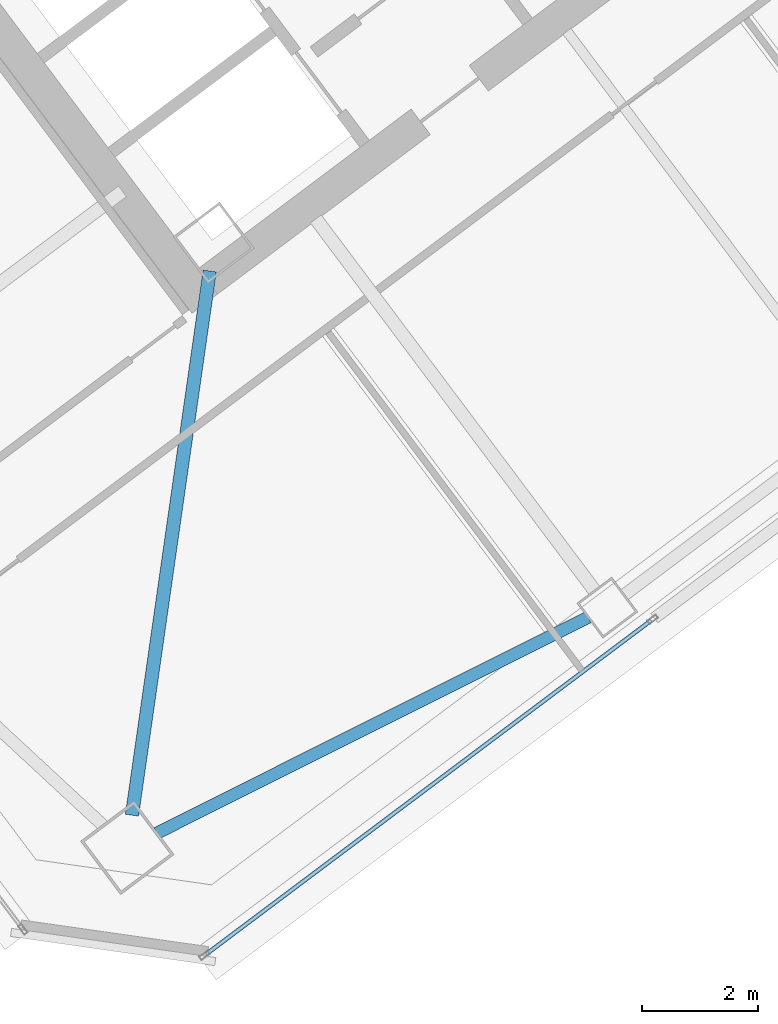
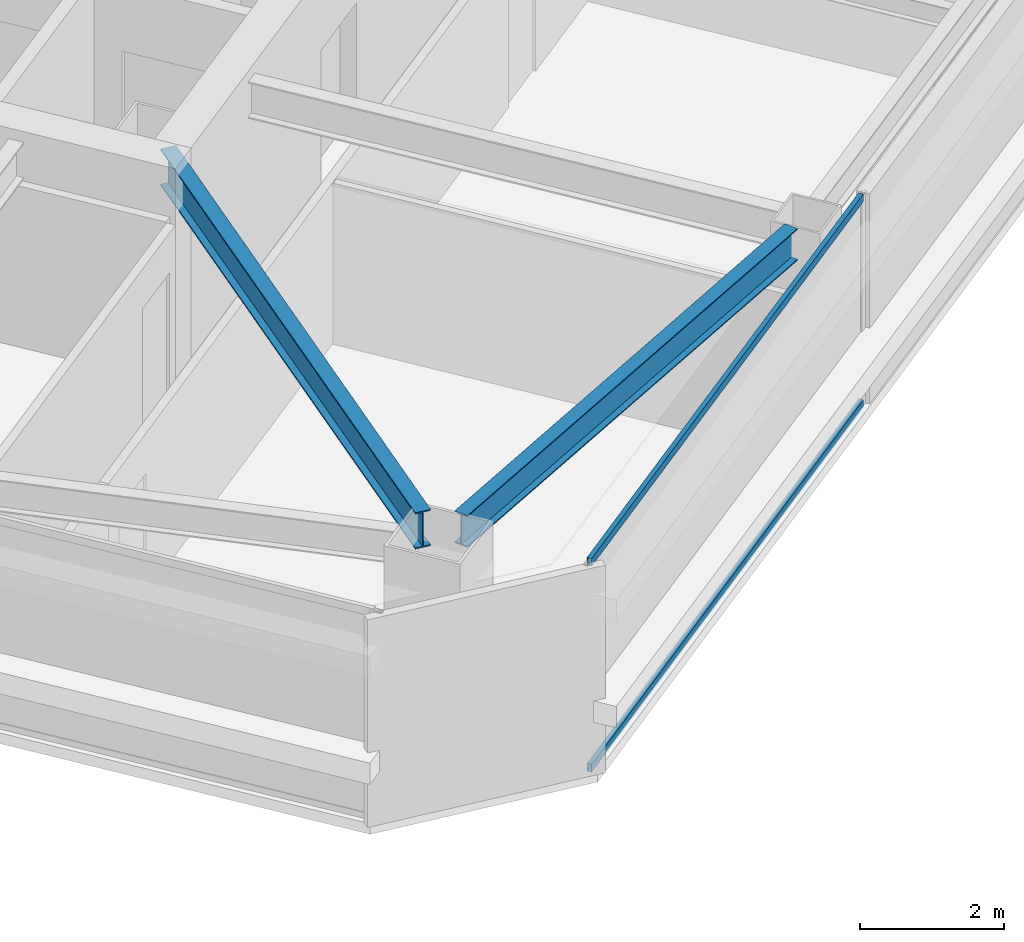
# One storey, part 18 of 41: 2 beams, 2 members, 1 element without a shape of its own.
"""IFC4 building model written with IfcOpenShell, lengths in metres."""

from ifc_helpers import new_model, si_unit, direction, frame, origin, origin_2d, place, context, subcontext, project, spatial, hollow_rectangle, i_section, extrude, material, material_profile, profile_set, type_object, element, aggregate, save


model = new_model("IFC4")

# Units and contexts
model_context = context("Model", 3, precision=1e-05, world=origin(), true_north=direction((0.0, 1.0)))
body_context = subcontext(model_context, "Body", "Model", "MODEL_VIEW")
ifc_project = project(units=[si_unit("LENGTHUNIT", "METRE"), si_unit("AREAUNIT", "SQUARE_METRE"), si_unit("VOLUMEUNIT", "CUBIC_METRE"), si_unit("PLANEANGLEUNIT", "RADIAN"), si_unit("MASSUNIT", "GRAM", prefix="KILO")], contexts=[model_context])

# Site, building, storey
site_placement = place(None, origin())
site = spatial("IfcSite", under=ifc_project, at=site_placement, CompositionType="ELEMENT")
building_placement = place(site_placement, origin())
building = spatial("IfcBuilding", under=site, at=building_placement, Name="Tashvorn Skyway Center", CompositionType="ELEMENT")
storey_placement = place(building_placement, frame((0.0, 0.0, 192.5)))
storey = spatial("IfcBuildingStorey", under=building, at=storey_placement, Name="L52", CompositionType="ELEMENT", Elevation=192.5)

# Beams
ifc_material_1 = material(Name="Steel ASTM A992 Grade 50", Category="steel")
ifc_material_profile_1 = material_profile(ifc_material_1, i_section(OverallWidth=0.22998046875, OverallDepth=0.616943359375, WebThickness=0.01318359375, FlangeThickness=0.022216796875, at=origin_2d()), Name="W24X94")
ifc_profile_set_1 = profile_set([ifc_material_profile_1], Name="Steel ASTM A992 Grade 50")
beam_type_1 = type_object("IfcBeamType", Name="BM-BEAM-W24X94", PredefinedType="BEAM", material=ifc_profile_set_1)
beam_1_placement = place(storey_placement, frame((111.1806640625, 12.26416015625, 3.0615234375), z_axis=(0.141417747326, 0.989950009213, 0.0), x_axis=(-0.989950009213, 0.141417747326, 0.0)))
element("IfcBeam", 1, at=beam_1_placement, inside=storey, type_object=beam_type_1, Name="Tower 2 L52 Primary Floor Girder MC-SW", PredefinedType="BEAM", context=body_context, shape_type="SweptSolid", body=[
    extrude(i_section(OverallWidth=0.22998046875, OverallDepth=0.616943359375, WebThickness=0.01318359375, FlangeThickness=0.022216796875, at=origin_2d()), origin(), (0.0, 0.0, 1.0), 9.470947265625),
])
ifc_material_profile_2 = material_profile(ifc_material_1, i_section(OverallWidth=0.2109375, OverallDepth=0.5390625, WebThickness=0.01171875, FlangeThickness=0.018798828125, at=origin_2d()), Name="W21X73")
ifc_profile_set_2 = profile_set([ifc_material_profile_2], Name="Steel ASTM A992 Grade 50")
beam_type_2 = type_object("IfcBeamType", Name="BM-SPANDREL-W21X73", PredefinedType="SPANDREL", material=ifc_profile_set_2)
beam_2_placement = place(storey_placement, frame((111.609619140625, 11.955078125, 3.1005859375), z_axis=(0.894209637559, 0.447648438059, 0.0), x_axis=(-0.447648438059, 0.894209637559, 0.0)))
element("IfcBeam", 2, at=beam_2_placement, inside=storey, type_object=beam_type_2, Name="Tower 2 L52 Spandrel Beam 01", PredefinedType="SPANDREL", context=body_context, shape_type="SweptSolid", body=[
    extrude(i_section(OverallWidth=0.2109375, OverallDepth=0.5390625, WebThickness=0.01171875, FlangeThickness=0.018798828125, at=origin_2d()), origin(), (0.0, 0.0, 1.0), 8.308349609375),
])

# Curtain wall, members
ifc_material_2 = material(Name="Thermally broken bronze-anodized aluminium 6063-T6", Category="aluminium")
curtain_wall_type = type_object("IfcCurtainWallType", Name="CW-CW-Z4", PredefinedType="NOTDEFINED", material=ifc_material_2)
curtain_wall_placement = place(storey_placement, origin())
curtain_wall = element("IfcCurtainWall", 3, at=curtain_wall_placement, inside=storey, type_object=curtain_wall_type, Name="Tower 2 L52 South Unitised Curtain Wall Glazing Group 2", PredefinedType="NOTDEFINED")
ifc_material_profile_3 = material_profile(ifc_material_2, hollow_rectangle(XDim=0.070068359375, YDim=0.1298828125, WallThickness=0.00390625, at=origin_2d()), Name="ALU-TRAN-70x130")
ifc_profile_set_3 = profile_set([ifc_material_profile_3], Name="Thermally broken bronze-anodized aluminium 6063-T6")
member_type = type_object("IfcMemberType", Name="CWT-CW-Z4", PredefinedType="USERDEFINED", material=ifc_profile_set_3)
member_1_placement = place(storey_placement, frame((120.1240234375, 15.617919921875, 0.034912109375), z_axis=(-0.800012232437, -0.599983689738, 0.0), x_axis=(0.599983689738, -0.800012232437, 0.0)))
member_1 = element("IfcMember", 4, at=member_1_placement, type_object=member_type, Name="CW-Z4 transom 1.1", ObjectType="TRANSOM", PredefinedType="USERDEFINED", context=body_context, shape_type="SweptSolid", body=[
    extrude(hollow_rectangle(XDim=0.070068359375, YDim=0.1298828125, WallThickness=0.00390625, at=origin_2d()), origin(), (0.0, 0.0, 1.0), 9.579833984375),
])
member_2_placement = place(storey_placement, frame((120.1240234375, 15.617919921875, 3.514892578125), z_axis=(-0.800012232437, -0.599983689738, 0.0), x_axis=(0.599983689738, -0.800012232437, 0.0)))
member_2 = element("IfcMember", 5, at=member_2_placement, type_object=member_type, Name="CW-Z4 transom 1.2", ObjectType="TRANSOM", PredefinedType="USERDEFINED", context=body_context, shape_type="SweptSolid", body=[
    extrude(hollow_rectangle(XDim=0.070068359375, YDim=0.1298828125, WallThickness=0.00390625, at=origin_2d()), origin(), (0.0, 0.0, 1.0), 9.579833984375),
])
aggregate(curtain_wall, [member_1, member_2])

save(model, "model.ifc")
